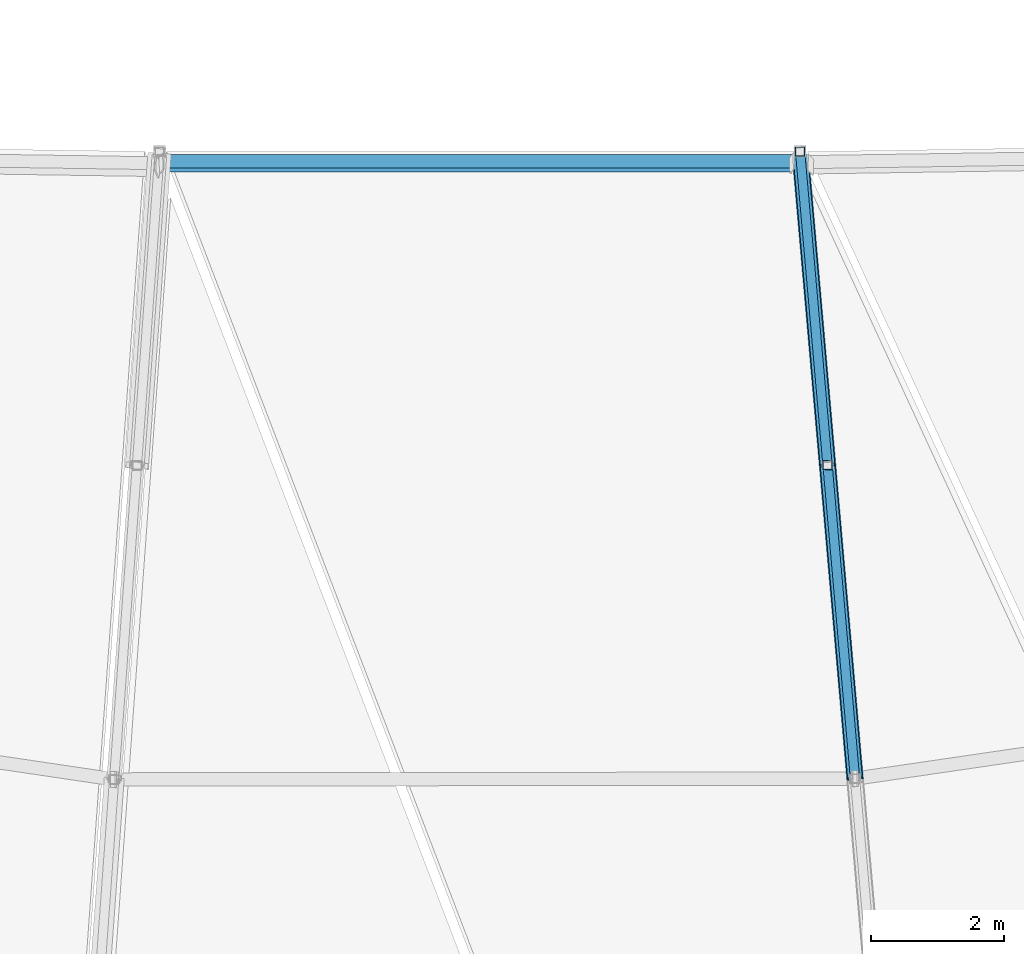
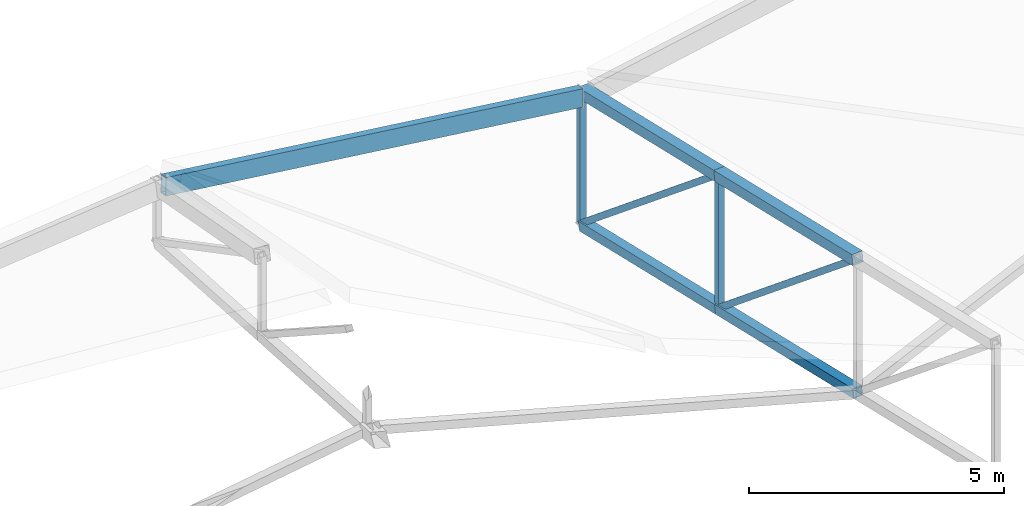
# One storey, part 46 of 344: 8 members, 1 beam.
"""IFC4 building model written with IfcOpenShell, lengths in metres."""

import ifcopenshell
import ifcopenshell.guid

model = None  # the IFC model being written
_history = None  # IfcOwnerHistory: only IFC2X3 demands one
_inside = {}  # id of a spatial element -> (the spatial element, [elements in it])
_under = {}  # id of a project, library or spatial element -> (it, [spatial elements below it])
_declared = {}  # id of a project -> (the project, [libraries it declares])
_typed = {}  # id of a type object -> (the type object, [elements of that type])
_made_of = {}  # id of a material, layer set ... -> (it, [elements and type objects made of it])


def new_model(schema):
    """Start an empty IFC model of exactly this schema.

    Asked for "IFC4X3", IfcOpenShell would pick the latest addendum, in which some entities
    have other attributes; the version numbers below select the first issue.
    IFC2X3 requires an IfcOwnerHistory on every rooted entity: one is made here for all.
    """
    global model, _history
    if schema == "IFC4X3":
        model = ifcopenshell.file(schema_version=(4, 3, 0, 0))
    else:
        model = ifcopenshell.file(schema=schema)
    _inside.clear()
    _under.clear()
    _declared.clear()
    _typed.clear()
    _made_of.clear()
    _history = None
    if model.schema == "IFC2X3":
        org = make("IfcOrganization", Name="unknown")
        user = make(
            "IfcPersonAndOrganization",
            ThePerson=make("IfcPerson", FamilyName="unknown"),
            TheOrganization=org,
        )
        app = make(
            "IfcApplication",
            ApplicationDeveloper=org,
            Version="unknown",
            ApplicationFullName="unknown",
            ApplicationIdentifier="unknown",
        )
        _history = make(
            "IfcOwnerHistory",
            OwningUser=user,
            OwningApplication=app,
            ChangeAction="ADDED",
            CreationDate=0,
        )
    return model


def make(cls, **values):
    """One entity of the class cls with the attributes given. An attribute that is None is left unset."""
    return model.create_entity(
        cls, **{name: value for name, value in values.items() if value is not None}
    )


def rooted(cls, **values):
    """An entity with a GlobalId (a new one), such as an element, a storey or a relation."""
    return make(cls, GlobalId=ifcopenshell.guid.new(), OwnerHistory=_history, **values)


def si_unit(unit_type, name, prefix=None):
    """IfcSIUnit, for example si_unit("LENGTHUNIT", "METRE", prefix="MILLI")."""
    return make("IfcSIUnit", UnitType=unit_type, Prefix=prefix, Name=name)


def assignment(units):
    """IfcUnitAssignment: the units of a project."""
    return None if units is None else make("IfcUnitAssignment", Units=units)


def point(xyz):
    """IfcCartesianPoint."""
    return None if xyz is None else make("IfcCartesianPoint", Coordinates=xyz)


def direction(xyz):
    """IfcDirection."""
    return None if xyz is None else make("IfcDirection", DirectionRatios=xyz)


def frame(location, z_axis=None, x_axis=None):
    """IfcAxis2Placement3D, a coordinate frame: its origin and axes. An axis left out is left unset."""
    return make(
        "IfcAxis2Placement3D",
        Location=point(location),
        Axis=direction(z_axis),
        RefDirection=direction(x_axis),
    )


def frame_2d(location, x_axis=None):
    """IfcAxis2Placement2D, a coordinate frame in the plane: its origin and x axis."""
    return make(
        "IfcAxis2Placement2D", Location=point(location), RefDirection=direction(x_axis)
    )


def origin():
    """The frame at (0, 0, 0) with its axes left unset."""
    return frame((0.0, 0.0, 0.0))


def origin_2d():
    """The frame at (0, 0) in the plane with its x axis left unset."""
    return frame_2d((0.0, 0.0))


def place(relative_to, where):
    """IfcLocalPlacement: puts the frame where relative to a parent placement (None: the world)."""
    return make(
        "IfcLocalPlacement", PlacementRelTo=relative_to, RelativePlacement=where
    )


def context(
    kind, dimensions, precision=None, world=None, true_north=None, identifier=None
):
    """IfcGeometricRepresentationContext, for example the 3D "Model" context."""
    return make(
        "IfcGeometricRepresentationContext",
        ContextIdentifier=identifier,
        ContextType=kind,
        CoordinateSpaceDimension=dimensions,
        Precision=precision,
        WorldCoordinateSystem=world,
        TrueNorth=true_north,
    )


def subcontext(parent, identifier, kind, view, scale=None):
    """IfcGeometricRepresentationSubContext, for example "Body" below "Model"."""
    return make(
        "IfcGeometricRepresentationSubContext",
        ContextIdentifier=identifier,
        ContextType=kind,
        ParentContext=parent,
        TargetScale=scale,
        TargetView=view,
    )


def project(units=None, contexts=None):
    """IfcProject with its units and contexts."""
    return rooted(
        "IfcProject",
        Name="project",
        RepresentationContexts=contexts,
        UnitsInContext=assignment(units),
    )


def spatial(cls, under=None, at=None, **own):
    """A site, building, storey or space (cls), placed at a placement, below another one or the project."""
    s = rooted(cls, ObjectPlacement=at, **own)
    if under is not None:
        _under.setdefault(under.id(), (under, []))[1].append(s)
    return s


def profile(cls, at=None, kind="AREA", **sizes):
    """A parametric profile (cls). Its sizes go by their IFC names, for example OverallWidth=200.0."""
    return make(cls, ProfileType=kind, Position=at, **sizes)


def hollow_rectangle(**sizes):
    """IfcRectangleHollowProfileDef."""
    return profile("IfcRectangleHollowProfileDef", **sizes)


def extrude(swept, where, along, depth):
    """IfcExtrudedAreaSolid: the profile swept, set in the frame where, extruded along a direction by depth."""
    return make(
        "IfcExtrudedAreaSolid",
        SweptArea=swept,
        Position=where,
        ExtrudedDirection=direction(along),
        Depth=depth,
    )


def shape(context_of_items, identifier, shape_type, items):
    """IfcShapeRepresentation: the items that make up one representation, for example the "Body"."""
    return make(
        "IfcShapeRepresentation",
        ContextOfItems=context_of_items,
        RepresentationIdentifier=identifier,
        RepresentationType=shape_type,
        Items=items,
    )


def material(Name=None, Category=None):
    """IfcMaterial."""
    return make("IfcMaterial", Name=Name, Category=Category)


def material_profile(
    of_material, cross_section, Name=None, Category=None, Priority=None
):
    """IfcMaterialProfile: a cross section and its material."""
    return make(
        "IfcMaterialProfile",
        Name=Name,
        Material=of_material,
        Profile=cross_section,
        Priority=Priority,
        Category=Category,
    )


def profile_set(profiles, Name=None, composite=None):
    """IfcMaterialProfileSet."""
    return make(
        "IfcMaterialProfileSet",
        Name=Name,
        MaterialProfiles=profiles,
        CompositeProfile=composite,
    )


def made_of(thing, what):
    """Note that an element or type object is made of a material, layer set ...; save() writes the relation."""
    if what is not None:
        _made_of.setdefault(what.id(), (what, []))[1].append(thing)
    return thing


def type_object(cls, material=None, **own):
    """A type object (cls), such as IfcWallType, which elements share."""
    return made_of(rooted(cls, **own), material)


def element(
    cls,
    number,
    at=None,
    inside=None,
    cuts=None,
    type_object=None,
    material=None,
    context=None,
    identifier="Body",
    shape_type=None,
    held_by="IfcProductDefinitionShape",
    body=None,
    shapes=None,
    **own,
):
    """One element of the class cls, such as IfcWall. Its Tag is "e" and its number.

    at: its placement. inside: the storey or other place that contains it. cuts: it is an
    opening in that element (IfcRelVoidsElement). A single representation is given by context,
    identifier, shape_type and body (its items); several are given by shapes. held_by: the class
    of the entity that holds the representations. save() writes the other relations.
    """
    e = rooted(cls, Tag="e%d" % number, ObjectPlacement=at, **own)
    if body is not None:
        shapes = [shape(context, identifier, shape_type, body)]
    if shapes is not None:
        e.Representation = make(held_by, Representations=shapes)
    if inside is not None:
        _inside.setdefault(inside.id(), (inside, []))[1].append(e)
    if cuts is not None:
        rooted(
            "IfcRelVoidsElement", RelatingBuildingElement=cuts, RelatedOpeningElement=e
        )
    if type_object is not None:
        _typed.setdefault(type_object.id(), (type_object, []))[1].append(e)
    return made_of(e, material)


def aggregate(whole, parts):
    """IfcRelAggregates: a whole, such as a stair, and the parts it consists of."""
    return rooted("IfcRelAggregates", RelatingObject=whole, RelatedObjects=parts)


def save(model, path):
    """Write the relations noted so far, then the file.

    IfcRelAggregates (storeys below a building ...), IfcRelContainedInSpatialStructure (elements
    in a storey), IfcRelDefinesByType, IfcRelAssociatesMaterial and IfcRelDeclares: one each for
    every whole, place, type object, material and project.
    """
    for whole, parts in _under.values():
        aggregate(whole, parts)
    for where, things in _inside.values():
        rooted(
            "IfcRelContainedInSpatialStructure",
            RelatedElements=things,
            RelatingStructure=where,
        )
    for kind, things in _typed.values():
        rooted("IfcRelDefinesByType", RelatedObjects=things, RelatingType=kind)
    for what, things in _made_of.values():
        rooted("IfcRelAssociatesMaterial", RelatedObjects=things, RelatingMaterial=what)
    for by, libraries in _declared.values():
        rooted("IfcRelDeclares", RelatingContext=by, RelatedDefinitions=libraries)
    model.write(path)


model = new_model("IFC4")

# Units and contexts
model_context = context("Model", 3, precision=1e-05, world=origin(), true_north=direction((0.0, 1.0)))
body_context = subcontext(model_context, "Body", "Model", "MODEL_VIEW")
ifc_project = project(units=[si_unit("LENGTHUNIT", "METRE"), si_unit("AREAUNIT", "SQUARE_METRE"), si_unit("VOLUMEUNIT", "CUBIC_METRE"), si_unit("PLANEANGLEUNIT", "RADIAN"), si_unit("MASSUNIT", "GRAM", prefix="KILO")], contexts=[model_context])

# Site, building, storey
site_placement = place(None, origin())
site = spatial("IfcSite", under=ifc_project, at=site_placement, CompositionType="ELEMENT")
building_placement = place(site_placement, origin())
building = spatial("IfcBuilding", under=site, at=building_placement, Name="Meseta Stadium", CompositionType="ELEMENT")
storey_placement = place(building_placement, frame((0.0, 0.0, 24.0)))
storey = spatial("IfcBuildingStorey", under=building, at=storey_placement, Name="L04", CompositionType="ELEMENT", Elevation=24.0)

# Beam
ifc_material_1 = material(Name="Steel S355", Category="steel")
ifc_material_profile_1 = material_profile(ifc_material_1, hollow_rectangle(XDim=0.199951171875, YDim=0.39990234375, WallThickness=0.01611328125, at=origin_2d()), Name="RHS 400x200x16")
ifc_profile_set_1 = profile_set([ifc_material_profile_1], Name="Steel S355")
beam_type = type_object("IfcBeamType", Name="RHS 400x200x16 tip ring beam", PredefinedType="BEAM", material=ifc_profile_set_1)
beam_placement = place(storey_placement, frame((-4.76806640625, -66.156982421875, 6.14111328125), z_axis=(0.992320038647, 0.0, -0.123696972071), x_axis=(-0.019061759121, 0.988055186291, -0.152916964995)))
element("IfcBeam", 1, at=beam_placement, inside=storey, type_object=beam_type, Name="TIP RING BEAM 47", PredefinedType="BEAM", context=body_context, shape_type="SweptSolid", body=[
    extrude(hollow_rectangle(XDim=0.199951171875, YDim=0.39990234375, WallThickness=0.01611328125, at=origin_2d()), origin(), (0.0, 0.0, 1.0), 9.51904296875),
])

# Members
ifc_material_2 = material(Name="Steel S355", Category="steel")
ifc_material_profile_2 = material_profile(ifc_material_2, hollow_rectangle(XDim=0.139892578125, YDim=0.139892578125, WallThickness=0.0048828125, at=origin_2d()), Name="SHS 140x140x5")
ifc_profile_set_2 = profile_set([ifc_material_profile_2], Name="Steel S355")
member_type_1 = type_object("IfcMemberType", Name="SHS 140x140x5 diagonal", PredefinedType="BRACE", material=ifc_profile_set_2)
member_1_placement = place(storey_placement, frame((4.80810546875, -65.981201171875, 1.7705078125), z_axis=(0.067383470322, -0.769224802413, 0.635415353355), x_axis=(0.996185132268, 0.087265011587, 0.0)))
element("IfcMember", 2, at=member_1_placement, inside=storey, type_object=member_type_1, Name="ROOF TRUSS RT-47 diagonal", PredefinedType="BRACE", context=body_context, shape_type="SweptSolid", body=[
    extrude(hollow_rectangle(XDim=0.139892578125, YDim=0.139892578125, WallThickness=0.0048828125, at=origin_2d()), origin(), (0.0, 0.0, 1.0), 6.119384765625),
])
member_2_placement = place(storey_placement, frame((5.220458984375, -70.6884765625, 2.458740234375), z_axis=(0.067423184498, -0.769222733906, 0.635413644672), x_axis=(0.996180639476, 0.087316284462, 0.0)))
element("IfcMember", 3, at=member_2_placement, inside=storey, type_object=member_type_1, Name="ROOF TRUSS RT-47 diagonal", PredefinedType="BRACE", context=body_context, shape_type="SweptSolid", body=[
    extrude(hollow_rectangle(XDim=0.139892578125, YDim=0.139892578125, WallThickness=0.0048828125, at=origin_2d()), origin(), (0.0, 0.0, 1.0), 6.11962890625),
])
ifc_material_3 = material(Name="Steel S355", Category="steel")
ifc_material_profile_3 = material_profile(ifc_material_3, hollow_rectangle(XDim=0.139892578125, YDim=0.139892578125, WallThickness=0.0048828125, at=origin_2d()), Name="SHS 140x140x5")
ifc_profile_set_3 = profile_set([ifc_material_profile_3], Name="Steel S355")
member_type_2 = type_object("IfcMemberType", Name="SHS 140x140x5 post", PredefinedType="POST", material=ifc_profile_set_3)
member_3_placement = place(storey_placement, frame((5.220458984375, -70.6884765625, 2.458740234375), z_axis=(0.0, 0.0, 1.0), x_axis=(1.0, 0.0, 0.0)))
element("IfcMember", 4, at=member_3_placement, inside=storey, type_object=member_type_2, Name="ROOF TRUSS RT-47 post", PredefinedType="POST", context=body_context, shape_type="SweptSolid", body=[
    extrude(hollow_rectangle(XDim=0.139892578125, YDim=0.139892578125, WallThickness=0.0048828125, at=origin_2d()), origin(), (0.0, 0.0, 1.0), 3.2001953125),
])
ifc_material_4 = material(Name="Steel S355", Category="steel")
ifc_material_profile_4 = material_profile(ifc_material_4, hollow_rectangle(XDim=0.139892578125, YDim=0.139892578125, WallThickness=0.0048828125, at=origin_2d()), Name="SHS 140x140x5")
ifc_profile_set_4 = profile_set([ifc_material_profile_4], Name="Steel S355")
member_type_3 = type_object("IfcMemberType", Name="SHS 140x140x5 rim post", PredefinedType="POST", material=ifc_profile_set_4)
member_4_placement = place(storey_placement, frame((4.80810546875, -65.981201171875, 1.7705078125), z_axis=(0.0, 0.0, 1.0), x_axis=(1.0, 0.0, 0.0)))
element("IfcMember", 5, at=member_4_placement, inside=storey, type_object=member_type_3, Name="ROOF TRUSS RT-47 post", PredefinedType="POST", context=body_context, shape_type="SweptSolid", body=[
    extrude(hollow_rectangle(XDim=0.139892578125, YDim=0.139892578125, WallThickness=0.0048828125, at=origin_2d()), origin(), (0.0, 0.0, 1.0), 3.199951171875),
])
ifc_material_5 = material(Name="Steel S355", Category="steel")
ifc_material_profile_5 = material_profile(ifc_material_5, hollow_rectangle(XDim=0.219970703125, YDim=0.219970703125, WallThickness=0.008056640625, at=origin_2d()), Name="SHS 220x220x8")
ifc_profile_set_5 = profile_set([ifc_material_profile_5], Name="Steel S355")
member_type_4 = type_object("IfcMemberType", Name="SHS 220x220x8 bottom chord", PredefinedType="CHORD", material=ifc_profile_set_5)
member_5_placement = place(storey_placement, frame((4.81396484375, -66.05029296875, 1.780517578125), z_axis=(0.086394359171, -0.985777799121, 0.144146264131), x_axis=(0.996181527694, 0.087306150311, 0.0)))
element("IfcMember", 6, at=member_5_placement, inside=storey, type_object=member_type_4, Name="ROOF TRUSS RT-47 bottom chord", PredefinedType="CHORD", context=body_context, shape_type="SweptSolid", body=[
    extrude(hollow_rectangle(XDim=0.219970703125, YDim=0.219970703125, WallThickness=0.008056640625, at=origin_2d()), origin(), (0.0, 0.0, 1.0), 4.705078125),
])
member_6_placement = place(storey_placement, frame((5.220458984375, -70.6884765625, 2.458740234375), z_axis=(0.086403995476, -0.985772447789, 0.144177081208), x_axis=(0.996180639476, 0.087316284462, 0.0)))
element("IfcMember", 7, at=member_6_placement, inside=storey, type_object=member_type_4, Name="ROOF TRUSS RT-47 bottom chord", PredefinedType="CHORD", context=body_context, shape_type="SweptSolid", body=[
    extrude(hollow_rectangle(XDim=0.219970703125, YDim=0.219970703125, WallThickness=0.008056640625, at=origin_2d()), origin(), (0.0, 0.0, 1.0), 4.775146484375),
])
ifc_material_6 = material(Name="Steel S355", Category="steel")
ifc_material_profile_6 = material_profile(ifc_material_6, hollow_rectangle(XDim=0.25, YDim=0.25, WallThickness=0.010009765625, at=origin_2d()), Name="SHS 250x250x10")
ifc_profile_set_6 = profile_set([ifc_material_profile_6], Name="Steel S355")
member_type_5 = type_object("IfcMemberType", Name="SHS 250x250x10 top chord", PredefinedType="CHORD", material=ifc_profile_set_6)
member_7_placement = place(storey_placement, frame((4.81396484375, -66.05029296875, 4.98046875), z_axis=(0.086393712873, -0.985770424718, 0.144197073918), x_axis=(0.996181527694, 0.087306150311, 0.0)))
element("IfcMember", 8, at=member_7_placement, inside=storey, type_object=member_type_5, Name="ROOF TRUSS RT-47 top chord", PredefinedType="CHORD", context=body_context, shape_type="SweptSolid", body=[
    extrude(hollow_rectangle(XDim=0.25, YDim=0.25, WallThickness=0.010009765625, at=origin_2d()), origin(), (0.0, 0.0, 1.0), 4.705078125),
])
member_8_placement = place(storey_placement, frame((5.220458984375, -70.6884765625, 5.658935546875), z_axis=(0.086404632278, -0.985779712993, 0.1441270168), x_axis=(0.996180639476, 0.087316284462, 0.0)))
element("IfcMember", 9, at=member_8_placement, inside=storey, type_object=member_type_5, Name="ROOF TRUSS RT-47 top chord", PredefinedType="CHORD", context=body_context, shape_type="SweptSolid", body=[
    extrude(hollow_rectangle(XDim=0.25, YDim=0.25, WallThickness=0.010009765625, at=origin_2d()), origin(), (0.0, 0.0, 1.0), 4.775146484375),
])

save(model, "model.ifc")
